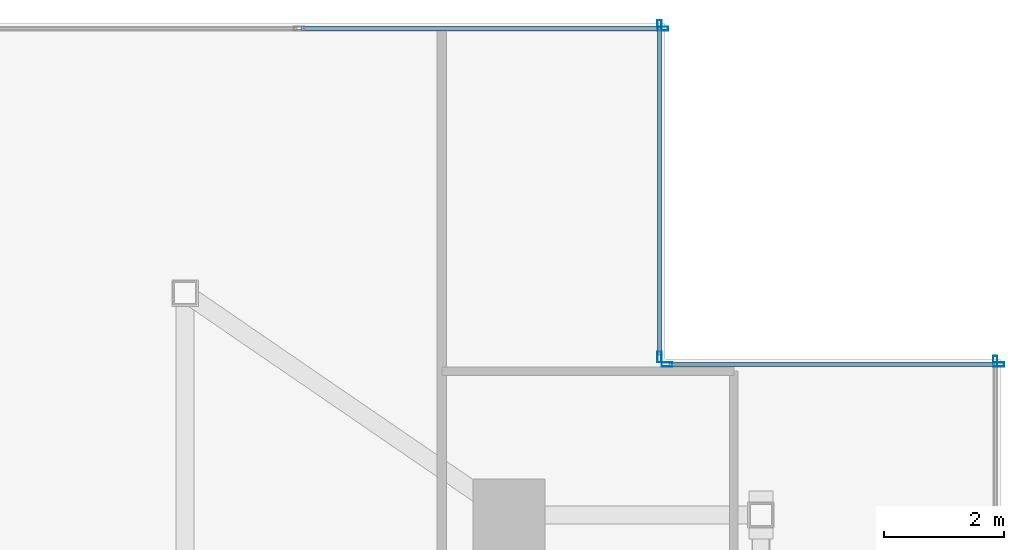
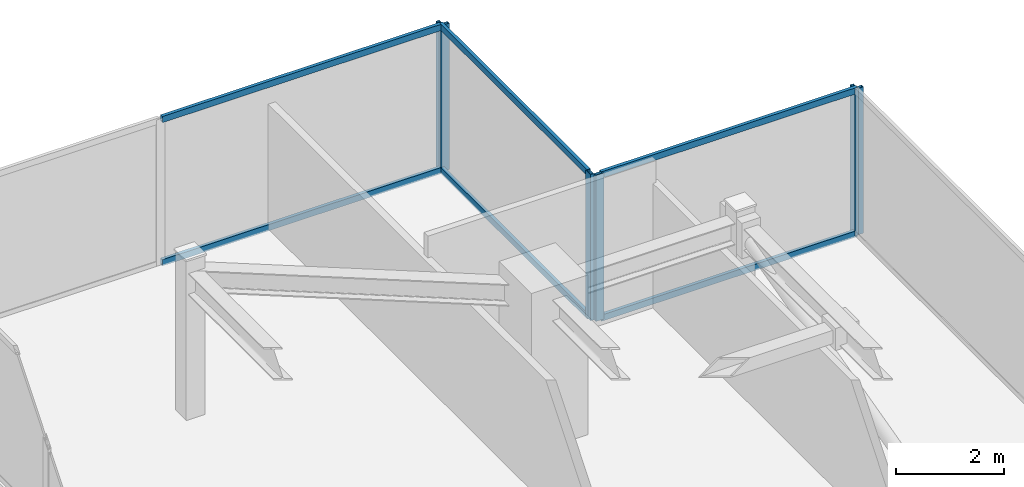
# One storey, part 21 of 25: 12 members, 4 elements without a shape of their own.
"""IFC4 building model written with IfcOpenShell, lengths in metres."""

from ifc_helpers import new_model, si_unit, direction, frame, origin, origin_2d, place, context, subcontext, project, spatial, hollow_rectangle, extrude, source, transform, mapped, material, material_profile, profile_set, type_object, type_shapes, element, aggregate, save


model = new_model("IFC4")

# Units and contexts
model_context = context("Model", 3, precision=1e-05, world=origin(), true_north=direction((0.0, 1.0)))
body_context = subcontext(model_context, "Body", "Model", "MODEL_VIEW")
ifc_project = project(units=[si_unit("LENGTHUNIT", "METRE"), si_unit("AREAUNIT", "SQUARE_METRE"), si_unit("VOLUMEUNIT", "CUBIC_METRE"), si_unit("PLANEANGLEUNIT", "RADIAN"), si_unit("MASSUNIT", "GRAM", prefix="KILO")], contexts=[model_context])

# Site, building, storey
site_placement = place(None, origin())
site = spatial("IfcSite", under=ifc_project, at=site_placement, CompositionType="ELEMENT")
building_placement = place(site_placement, origin())
building = spatial("IfcBuilding", under=site, at=building_placement, Name="Krantzveldt Concourse Tower", CompositionType="ELEMENT")
storey_placement = place(building_placement, frame((0.0, 0.0, 374.64990234375)))
storey = spatial("IfcBuildingStorey", under=building, at=storey_placement, Name="L92", CompositionType="ELEMENT", Elevation=374.64990234375)

# Curtain wall, members
ifc_material = material(Name="Anodised aluminium 6063-T6", Category="aluminium")
curtain_wall_type = type_object("IfcCurtainWallType", Name="CW7", PredefinedType="USERDEFINED", material=ifc_material)
curtain_wall_1_placement = place(storey_placement, origin())
curtain_wall_1 = element("IfcCurtainWall", 1, at=curtain_wall_1_placement, inside=storey, type_object=curtain_wall_type, Name="CW-L92-EAST-04", ObjectType="UNITISED CURTAIN WALL", PredefinedType="USERDEFINED")
ifc_material_profile_1 = material_profile(ifc_material, hollow_rectangle(XDim=0.070068359375, YDim=0.139892578125, WallThickness=0.0048828125, at=origin_2d()), Name="Anodised aluminium 6063-T6", Category="aluminium")
ifc_profile_set_1 = profile_set([ifc_material_profile_1], Name="Anodised aluminium 6063-T6 - ALU-TRAN 140x70x5")
member_type_1 = type_object("IfcMemberType", Name="CW-TRN-150", PredefinedType="USERDEFINED", material=ifc_profile_set_1)
shared_shape_1 = source(origin(), body_context, "Body", "SweptSolid", [
    extrude(hollow_rectangle(XDim=0.070068359375, YDim=0.139892578125, WallThickness=0.0048828125, at=origin_2d()), origin(), (0.0, 0.0, 1.0), 5.4599609375),
])
member_1_placement = place(storey_placement, frame((54.929931640625, 40.010009765625, 0.03515625), z_axis=(-1.0, 0.0, 0.0), x_axis=(0.0, -1.0, 0.0)))
member_1 = element("IfcMember", 2, at=member_1_placement, type_object=member_type_1, Name="CW-CRN transom 1.1", ObjectType="TRANSOM", PredefinedType="USERDEFINED", context=body_context, shape_type="MappedRepresentation", body=[
    mapped(shared_shape_1, transform((0.0, 0.0, 0.0), x_axis=(1.0, 0.0, 0.0), y_axis=(0.0, 1.0, 0.0), z_axis=(0.0, 0.0, 1.0), scale=1.0)),
])
member_2_placement = place(storey_placement, frame((54.929931640625, 40.010009765625, 3.26513671875), z_axis=(-1.0, 0.0, 0.0), x_axis=(0.0, -1.0, 0.0)))
member_2 = element("IfcMember", 3, at=member_2_placement, type_object=member_type_1, Name="CW-CRN transom 1.2", ObjectType="TRANSOM", PredefinedType="USERDEFINED", context=body_context, shape_type="MappedRepresentation", body=[
    mapped(shared_shape_1, transform((0.0, 0.0, 0.0), x_axis=(1.0, 0.0, 0.0), y_axis=(0.0, 1.0, 0.0), z_axis=(0.0, 0.0, 1.0), scale=1.0)),
])

curtain_wall_2_placement = place(storey_placement, origin())
curtain_wall_2 = element("IfcCurtainWall", 4, at=curtain_wall_2_placement, inside=storey, type_object=curtain_wall_type, Name="CW-L92-EAST-05", ObjectType="UNITISED CURTAIN WALL", PredefinedType="USERDEFINED")
member_3_placement = place(storey_placement, frame((49.31005859375, 40.169921875, 0.03515625), z_axis=(0.0, 1.0, 0.0), x_axis=(-1.0, 0.0, 0.0)))
member_3 = element("IfcMember", 5, at=member_3_placement, type_object=member_type_1, Name="CW-CRN transom 1.1", ObjectType="TRANSOM", PredefinedType="USERDEFINED", context=body_context, shape_type="MappedRepresentation", body=[
    mapped(shared_shape_1, transform((0.0, 0.0, 0.0), x_axis=(1.0, 0.0, 0.0), y_axis=(0.0, 1.0, 0.0), z_axis=(0.0, 0.0, 1.0), scale=1.0)),
])
member_4_placement = place(storey_placement, frame((49.31005859375, 40.169921875, 3.26513671875), z_axis=(0.0, 1.0, 0.0), x_axis=(-1.0, 0.0, 0.0)))
member_4 = element("IfcMember", 6, at=member_4_placement, type_object=member_type_1, Name="CW-CRN transom 1.2", ObjectType="TRANSOM", PredefinedType="USERDEFINED", context=body_context, shape_type="MappedRepresentation", body=[
    mapped(shared_shape_1, transform((0.0, 0.0, 0.0), x_axis=(1.0, 0.0, 0.0), y_axis=(0.0, 1.0, 0.0), z_axis=(0.0, 0.0, 1.0), scale=1.0)),
])

curtain_wall_3_placement = place(storey_placement, origin())
curtain_wall_3 = element("IfcCurtainWall", 7, at=curtain_wall_3_placement, inside=storey, type_object=curtain_wall_type, Name="CW-L92-EAST-06", ObjectType="UNITISED CURTAIN WALL", PredefinedType="USERDEFINED")
shared_shape_2 = source(origin(), body_context, "Body", "SweptSolid", [
    extrude(hollow_rectangle(XDim=0.070068359375, YDim=0.139892578125, WallThickness=0.0048828125, at=origin_2d()), origin(), (0.0, 0.0, 1.0), 5.9951171875),
])
type_shapes(member_type_1, [shared_shape_1, shared_shape_2])
member_5_placement = place(storey_placement, frame((49.330078125, 45.610107421875, 0.03515625), z_axis=(-1.0, 0.0, 0.0), x_axis=(0.0, -1.0, 0.0)))
member_5 = element("IfcMember", 8, at=member_5_placement, type_object=member_type_1, Name="CW-CRN transom 1.1", ObjectType="TRANSOM", PredefinedType="USERDEFINED", context=body_context, shape_type="MappedRepresentation", body=[
    mapped(shared_shape_2, transform((0.0, 0.0, 0.0), x_axis=(1.0, 0.0, 0.0), y_axis=(0.0, 1.0, 0.0), z_axis=(0.0, 0.0, 1.0), scale=1.0)),
])
member_6_placement = place(storey_placement, frame((49.330078125, 45.610107421875, 3.26513671875), z_axis=(-1.0, 0.0, 0.0), x_axis=(0.0, -1.0, 0.0)))
member_6 = element("IfcMember", 9, at=member_6_placement, type_object=member_type_1, Name="CW-CRN transom 1.2", ObjectType="TRANSOM", PredefinedType="USERDEFINED", context=body_context, shape_type="MappedRepresentation", body=[
    mapped(shared_shape_2, transform((0.0, 0.0, 0.0), x_axis=(1.0, 0.0, 0.0), y_axis=(0.0, 1.0, 0.0), z_axis=(0.0, 0.0, 1.0), scale=1.0)),
])

# Curtain wall, member
curtain_wall_4_placement = place(storey_placement, origin())
curtain_wall_4 = element("IfcCurtainWall", 10, at=curtain_wall_4_placement, inside=storey, type_object=curtain_wall_type, Name="CW-L92-EAST-03", ObjectType="UNITISED CURTAIN WALL", PredefinedType="USERDEFINED")
ifc_material_profile_2 = material_profile(ifc_material, hollow_rectangle(XDim=0.070068359375, YDim=0.179931640625, WallThickness=0.0048828125, at=origin_2d()), Name="Anodised aluminium 6063-T6", Category="aluminium")
ifc_profile_set_2 = profile_set([ifc_material_profile_2], Name="Anodised aluminium 6063-T6 - ALU-MULL 180x70x5")
member_type_2 = type_object("IfcMemberType", Name="CW-MUL-180", PredefinedType="MULLION", material=ifc_profile_set_2)
shared_shape_3 = source(origin(), body_context, "Body", "SweptSolid", [
    extrude(hollow_rectangle(XDim=0.070068359375, YDim=0.179931640625, WallThickness=0.0048828125, at=origin_2d()), origin(), (0.0, 0.0, 1.0), 3.300048828125),
])
type_shapes(member_type_2, [shared_shape_3])
member_7_placement = place(storey_placement, frame((54.909912109375, 40.06494140625, 0.0), z_axis=(0.0, 0.0, 1.0), x_axis=(-1.0, 0.0, 0.0)))
member_7 = element("IfcMember", 11, at=member_7_placement, type_object=member_type_2, Name="CW-CRN mullion 5", PredefinedType="MULLION", context=body_context, shape_type="MappedRepresentation", body=[
    mapped(shared_shape_3, transform((0.0, 0.0, 0.0), x_axis=(1.0, 0.0, 0.0), y_axis=(0.0, 1.0, 0.0), z_axis=(0.0, 0.0, 1.0), scale=1.0)),
])
aggregate(curtain_wall_4, [member_7])

# Member
member_8_placement = place(storey_placement, frame((54.965087890625, 40.010009765625, 0.0), z_axis=(0.0, 0.0, 1.0), x_axis=(0.0, -1.0, 0.0)))
member_8 = element("IfcMember", 12, at=member_8_placement, type_object=member_type_2, Name="CW-CRN mullion 1", PredefinedType="MULLION", context=body_context, shape_type="MappedRepresentation", body=[
    mapped(shared_shape_3, transform((0.0, 0.0, 0.0), x_axis=(1.0, 0.0, 0.0), y_axis=(0.0, 1.0, 0.0), z_axis=(0.0, 0.0, 1.0), scale=1.0)),
])

member_9_placement = place(storey_placement, frame((49.43505859375, 40.010009765625, 0.0), z_axis=(0.0, 0.0, 1.0), x_axis=(0.0, -1.0, 0.0)))
member_9 = element("IfcMember", 13, at=member_9_placement, type_object=member_type_2, Name="CW-CRN mullion 2", PredefinedType="MULLION", context=body_context, shape_type="MappedRepresentation", body=[
    mapped(shared_shape_3, transform((0.0, 0.0, 0.0), x_axis=(1.0, 0.0, 0.0), y_axis=(0.0, 1.0, 0.0), z_axis=(0.0, 0.0, 1.0), scale=1.0)),
])

aggregate(curtain_wall_1, [member_8, member_9, member_1, member_2])

member_10_placement = place(storey_placement, frame((49.31005859375, 40.135009765625, 0.0), z_axis=(0.0, 0.0, 1.0), x_axis=(-1.0, 0.0, 0.0)))
member_10 = element("IfcMember", 14, at=member_10_placement, type_object=member_type_2, Name="CW-CRN mullion 1", PredefinedType="MULLION", context=body_context, shape_type="MappedRepresentation", body=[
    mapped(shared_shape_3, transform((0.0, 0.0, 0.0), x_axis=(1.0, 0.0, 0.0), y_axis=(0.0, 1.0, 0.0), z_axis=(0.0, 0.0, 1.0), scale=1.0)),
])

member_11_placement = place(storey_placement, frame((49.31005859375, 45.6650390625, 0.0), z_axis=(0.0, 0.0, 1.0), x_axis=(-1.0, 0.0, 0.0)))
member_11 = element("IfcMember", 15, at=member_11_placement, type_object=member_type_2, Name="CW-CRN mullion 2", PredefinedType="MULLION", context=body_context, shape_type="MappedRepresentation", body=[
    mapped(shared_shape_3, transform((0.0, 0.0, 0.0), x_axis=(1.0, 0.0, 0.0), y_axis=(0.0, 1.0, 0.0), z_axis=(0.0, 0.0, 1.0), scale=1.0)),
])

aggregate(curtain_wall_2, [member_10, member_11, member_3, member_4])

member_12_placement = place(storey_placement, frame((49.364990234375, 45.610107421875, 0.0), z_axis=(0.0, 0.0, 1.0), x_axis=(0.0, -1.0, 0.0)))
member_12 = element("IfcMember", 16, at=member_12_placement, type_object=member_type_2, Name="CW-CRN mullion 1", PredefinedType="MULLION", context=body_context, shape_type="MappedRepresentation", body=[
    mapped(shared_shape_3, transform((0.0, 0.0, 0.0), x_axis=(1.0, 0.0, 0.0), y_axis=(0.0, 1.0, 0.0), z_axis=(0.0, 0.0, 1.0), scale=1.0)),
])

aggregate(curtain_wall_3, [member_12, member_5, member_6])

save(model, "model.ifc")
